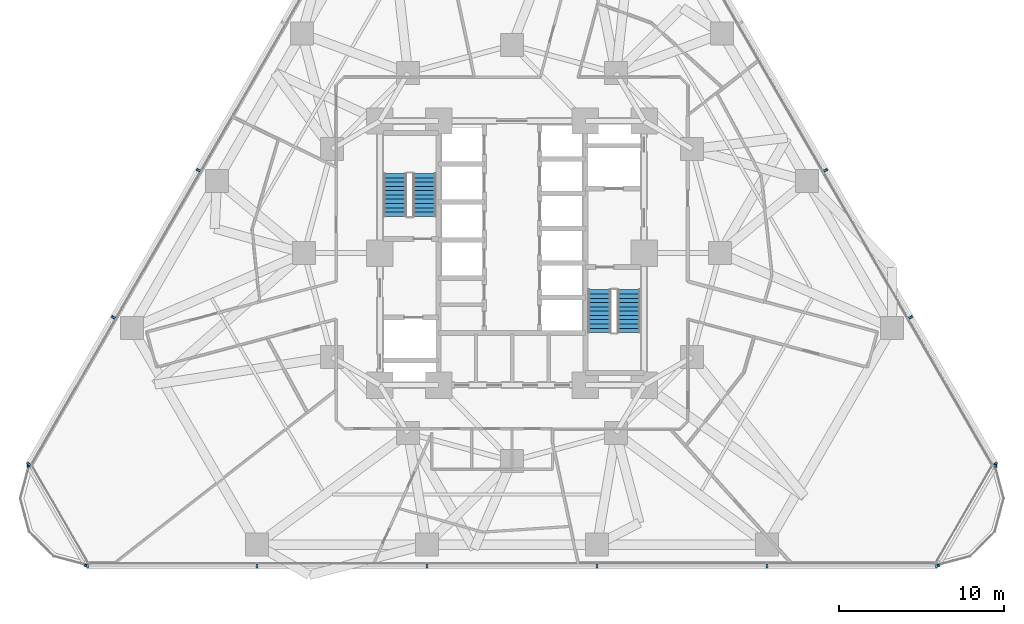
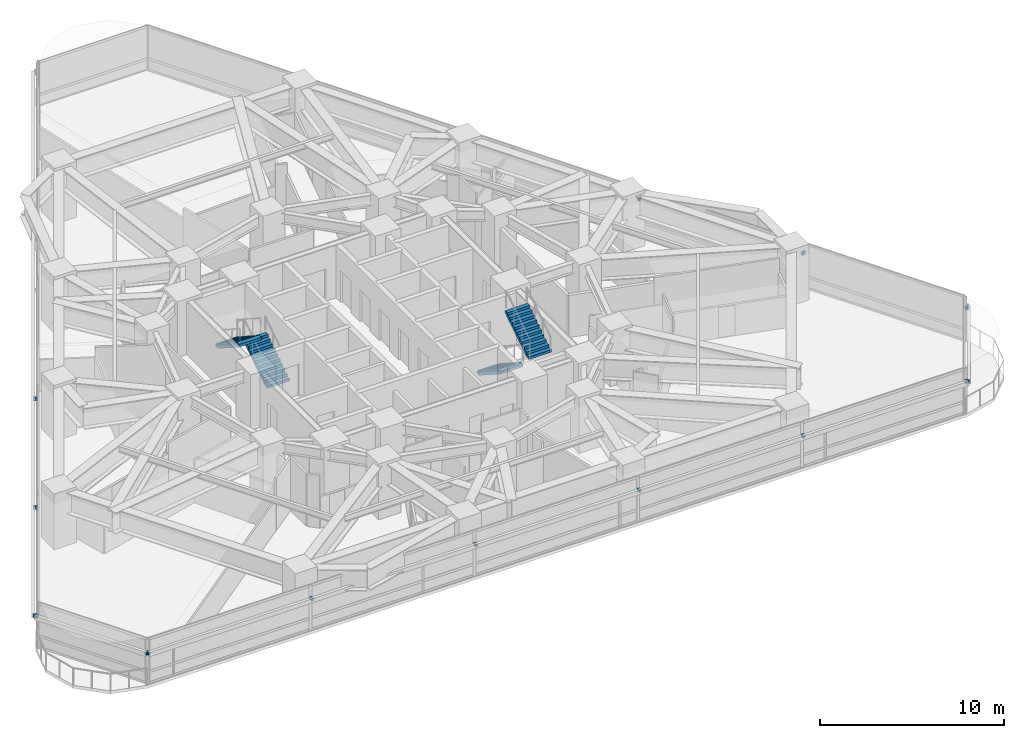
# One storey, part 11 of 15: 16 discrete accessories, 4 stair flights, 2 elements without a shape of their own.
"""IFC4 building model written with IfcOpenShell, lengths in metres."""

from ifc_helpers import new_model, si_unit, direction, frame, origin, origin_2d, place, context, subcontext, project, spatial, polyline, rectangle, outline, extrude, material, type_object, element, aggregate, save


model = new_model("IFC4")

# Units and contexts
model_context = context("Model", 3, precision=1e-05, world=origin(), true_north=direction((0.0, 1.0)))
body_context = subcontext(model_context, "Body", "Model", "MODEL_VIEW")
ifc_project = project(units=[si_unit("LENGTHUNIT", "METRE"), si_unit("AREAUNIT", "SQUARE_METRE"), si_unit("VOLUMEUNIT", "CUBIC_METRE"), si_unit("PLANEANGLEUNIT", "RADIAN"), si_unit("MASSUNIT", "GRAM", prefix="KILO")], contexts=[model_context])

# Site, building, storey
site_placement = place(None, origin())
site = spatial("IfcSite", under=ifc_project, at=site_placement, CompositionType="ELEMENT")
building_placement = place(site_placement, origin())
building = spatial("IfcBuilding", under=site, at=building_placement, Name="Terralouvre Media Tower", CompositionType="ELEMENT")
storey_placement = place(building_placement, frame((0.0, 0.0, 51.89990234375)))
storey = spatial("IfcBuildingStorey", under=building, at=storey_placement, Name="L12", CompositionType="ELEMENT", Elevation=51.89990234375)

# Stair, stair flights
ifc_material_1 = material(Name="Concrete C45/55", Category="concrete")
stair_type_1 = type_object("IfcStairType", Name="Dogleg Stair Assembly ST-01", PredefinedType="HALF_TURN_STAIR", material=ifc_material_1)
stair_1_placement = place(storey_placement, origin())
stair_1 = element("IfcStair", 1, at=stair_1_placement, inside=storey, type_object=stair_type_1, Name="L12 Core Pressurised Exit Stair ST-01", PredefinedType="HALF_TURN_STAIR")
ifc_material_2 = material(Name="Concrete C45/55", Category="concrete")
stair_flight_type = type_object("IfcStairFlightType", Name="Reinforced Concrete Stair Flight SF-RC1", PredefinedType="STRAIGHT", material=ifc_material_2)
stair_flight_1_placement = place(storey_placement, frame((-5.300048828125, 2.219970703125, 0.0), z_axis=(0.0, 0.0, 1.0), x_axis=(0.0, 1.0, 0.0)))
stair_flight_1 = element("IfcStairFlight", 2, at=stair_flight_1_placement, type_object=stair_flight_type, Name="ST-01 flight 1", NumberOfRisers=11, NumberOfTreads=10, PredefinedType="STRAIGHT", RiserHeight=0.168181818, TreadLength=0.26, context=body_context, shape_type="SweptSolid", body=[
    extrude(outline(polyline([(0.0, 0.0), (0.0, 0.168212890625), (0.260009765625, 0.168212890625), (0.260009765625, 0.33642578125), (0.52001953125, 0.33642578125), (0.52001953125, 0.504638671875), (0.780029296875, 0.504638671875), (0.780029296875, 0.672607421875), (1.0400390625, 0.672607421875), (1.0400390625, 0.8408203125), (1.300048828125, 0.8408203125), (1.300048828125, 1.009033203125), (1.56005859375, 1.009033203125), (1.56005859375, 1.17724609375), (1.820068359375, 1.17724609375), (1.820068359375, 1.345458984375), (2.080078125, 1.345458984375), (2.080078125, 1.513671875), (2.340087890625, 1.513671875), (2.340087890625, 1.681884765625), (2.60009765625, 1.681884765625), (2.60009765625, 1.85009765625), (2.60009765625, 1.503173828125), (0.27587890625, 0.0), (0.0, 0.0)])), frame((0.0, 0.699951171875, 0.0), z_axis=(0.0, -1.0, 0.0), x_axis=(1.0, 0.0, 0.0)), (0.0, 0.0, 1.0), 1.39990234375),
])
stair_flight_2_placement = place(storey_placement, frame((-7.080078125, 4.820068359375, 1.85009765625), z_axis=(0.0, 0.0, 1.0), x_axis=(0.0, -1.0, 0.0)))
stair_flight_2 = element("IfcStairFlight", 3, at=stair_flight_2_placement, type_object=stair_flight_type, Name="ST-01 flight 2", NumberOfRisers=11, NumberOfTreads=10, PredefinedType="STRAIGHT", RiserHeight=0.168181818, TreadLength=0.26, context=body_context, shape_type="SweptSolid", body=[
    extrude(outline(polyline([(0.0, 0.0), (0.0, 0.168212890625), (0.260009765625, 0.168212890625), (0.260009765625, 0.33642578125), (0.52001953125, 0.33642578125), (0.52001953125, 0.504638671875), (0.780029296875, 0.504638671875), (0.780029296875, 0.672607421875), (1.0400390625, 0.672607421875), (1.0400390625, 0.8408203125), (1.300048828125, 0.8408203125), (1.300048828125, 1.009033203125), (1.56005859375, 1.009033203125), (1.56005859375, 1.17724609375), (1.820068359375, 1.17724609375), (1.820068359375, 1.345458984375), (2.080078125, 1.345458984375), (2.080078125, 1.513671875), (2.340087890625, 1.513671875), (2.340087890625, 1.681884765625), (2.60009765625, 1.681884765625), (2.60009765625, 1.85009765625), (2.60009765625, 1.503173828125), (0.27587890625, 0.0), (0.0, 0.0)])), frame((0.0, 0.699951171875, 0.0), z_axis=(0.0, -1.0, 0.0), x_axis=(1.0, 0.0, 0.0)), (0.0, 0.0, 1.0), 1.39990234375),
])
aggregate(stair_1, [stair_flight_1, stair_flight_2])

ifc_material_3 = material(Name="Concrete C45/55", Category="concrete")
stair_type_2 = type_object("IfcStairType", Name="Dogleg Stair Assembly ST-02", PredefinedType="HALF_TURN_STAIR", material=ifc_material_3)
stair_2_placement = place(storey_placement, origin())
stair_2 = element("IfcStair", 4, at=stair_2_placement, inside=storey, type_object=stair_type_2, Name="L12 Core Pressurised Exit Stair ST-02", PredefinedType="HALF_TURN_STAIR")
stair_flight_3_placement = place(storey_placement, frame((5.300048828125, -2.219970703125, 0.0), z_axis=(0.0, 0.0, 1.0), x_axis=(0.0, -1.0, 0.0)))
stair_flight_3 = element("IfcStairFlight", 5, at=stair_flight_3_placement, type_object=stair_flight_type, Name="ST-02 flight 1", NumberOfRisers=11, NumberOfTreads=10, PredefinedType="STRAIGHT", RiserHeight=0.168181818, TreadLength=0.26, context=body_context, shape_type="SweptSolid", body=[
    extrude(outline(polyline([(0.0, 0.0), (0.0, 0.168212890625), (0.260009765625, 0.168212890625), (0.260009765625, 0.33642578125), (0.52001953125, 0.33642578125), (0.52001953125, 0.504638671875), (0.780029296875, 0.504638671875), (0.780029296875, 0.672607421875), (1.0400390625, 0.672607421875), (1.0400390625, 0.8408203125), (1.300048828125, 0.8408203125), (1.300048828125, 1.009033203125), (1.56005859375, 1.009033203125), (1.56005859375, 1.17724609375), (1.820068359375, 1.17724609375), (1.820068359375, 1.345458984375), (2.080078125, 1.345458984375), (2.080078125, 1.513671875), (2.340087890625, 1.513671875), (2.340087890625, 1.681884765625), (2.60009765625, 1.681884765625), (2.60009765625, 1.85009765625), (2.60009765625, 1.503173828125), (0.27587890625, 0.0), (0.0, 0.0)])), frame((0.0, 0.699951171875, 0.0), z_axis=(0.0, -1.0, 0.0), x_axis=(1.0, 0.0, 0.0)), (0.0, 0.0, 1.0), 1.39990234375),
])
stair_flight_4_placement = place(storey_placement, frame((7.080078125, -4.820068359375, 1.85009765625), z_axis=(0.0, 0.0, 1.0), x_axis=(0.0, 1.0, 0.0)))
stair_flight_4 = element("IfcStairFlight", 6, at=stair_flight_4_placement, type_object=stair_flight_type, Name="ST-02 flight 2", NumberOfRisers=11, NumberOfTreads=10, PredefinedType="STRAIGHT", RiserHeight=0.168181818, TreadLength=0.26, context=body_context, shape_type="SweptSolid", body=[
    extrude(outline(polyline([(0.0, 0.0), (0.0, 0.168212890625), (0.260009765625, 0.168212890625), (0.260009765625, 0.33642578125), (0.52001953125, 0.33642578125), (0.52001953125, 0.504638671875), (0.780029296875, 0.504638671875), (0.780029296875, 0.672607421875), (1.0400390625, 0.672607421875), (1.0400390625, 0.8408203125), (1.300048828125, 0.8408203125), (1.300048828125, 1.009033203125), (1.56005859375, 1.009033203125), (1.56005859375, 1.17724609375), (1.820068359375, 1.17724609375), (1.820068359375, 1.345458984375), (2.080078125, 1.345458984375), (2.080078125, 1.513671875), (2.340087890625, 1.513671875), (2.340087890625, 1.681884765625), (2.60009765625, 1.681884765625), (2.60009765625, 1.85009765625), (2.60009765625, 1.503173828125), (0.27587890625, 0.0), (0.0, 0.0)])), frame((0.0, 0.699951171875, 0.0), z_axis=(0.0, -1.0, 0.0), x_axis=(1.0, 0.0, 0.0)), (0.0, 0.0, 1.0), 1.39990234375),
])
aggregate(stair_2, [stair_flight_3, stair_flight_4])

# Discrete accessories
ifc_material_4 = material(Name="Anodised extruded aluminium 6063-T6", Category="aluminium")
discrete_accessory_type = type_object("IfcDiscreteAccessoryType", Name="Mullion Stand-Off Baguette Fixing Bracket BK-01", PredefinedType="BRACKET", material=ifc_material_4)
for number, where, z_axis, x_axis, name in (
    (7, (-25.71240234375, -18.956787109375, 2.07421875), (0.0, 0.0, 1.0), (1.0, 0.0, 0.0), "CW-L12-F0 Baguette Outrigger Bracket 1.01"),
    (8, (-15.449951171875, -18.956787109375, 2.07421875), (0.0, 0.0, 1.0), (1.0, 0.0, 0.0), "CW-L12-F0 Baguette Outrigger Bracket 1.02"),
    (9, (-5.14990234375, -18.956787109375, 2.07421875), (0.0, 0.0, 1.0), (1.0, 0.0, 0.0), "CW-L12-F0 Baguette Outrigger Bracket 1.03"),
    (10, (5.14990234375, -18.956787109375, 2.07421875), (0.0, 0.0, 1.0), (1.0, 0.0, 0.0), "CW-L12-F0 Baguette Outrigger Bracket 1.04"),
    (11, (15.449951171875, -18.956787109375, 2.07421875), (0.0, 0.0, 1.0), (1.0, 0.0, 0.0), "CW-L12-F0 Baguette Outrigger Bracket 1.05"),
    (12, (25.71240234375, -18.956787109375, 2.07421875), (0.0, 0.0, 1.0), (1.0, 0.0, 0.0), "CW-L12-F0 Baguette Outrigger Bracket 1.06"),
    (13, (29.273193359375, -12.789306640625, 2.07421875), (0.0, 0.0, 1.0), (-0.499999985671, 0.866025412057, 0.0), "CW-L12-F1 Baguette Outrigger Bracket 1.01"),
    (14, (24.14208984375, -3.901611328125, 2.07421875), (0.0, 0.0, 1.0), (-0.499999985671, 0.866025412057, 0.0), "CW-L12-F1 Baguette Outrigger Bracket 1.02"),
    (15, (18.991943359375, 5.018310546875, 2.07421875), (0.0, 0.0, 1.0), (-0.499999985671, 0.866025412057, 0.0), "CW-L12-F1 Baguette Outrigger Bracket 1.03"),
    (16, (-18.991943359375, 5.018310546875, 2.07421875), (0.0, 0.0, 1.0), (-0.499999985671, -0.866025412057, 0.0), "CW-L12-F2 Baguette Outrigger Bracket 1.04"),
    (17, (-24.14208984375, -3.901611328125, 2.07421875), (0.0, 0.0, 1.0), (-0.499999985671, -0.866025412057, 0.0), "CW-L12-F2 Baguette Outrigger Bracket 1.05"),
    (18, (-29.273193359375, -12.789306640625, 2.07421875), (0.0, 0.0, 1.0), (-0.499999985671, -0.866025412057, 0.0), "CW-L12-F2 Baguette Outrigger Bracket 1.06"),
    (19, (-29.255859375, -12.88427734375, 2.07421875), (0.0, 0.0, 1.0), (0.499999691503, -0.866025581895, 0.0), "CW-L12-C0 Baguette Outrigger Bracket 1.01"),
    (20, (-25.7861328125, -18.894287109375, 2.07421875), (0.0, 0.0, 1.0), (0.499999691503, -0.866025581895, 0.0), "CW-L12-C0 Baguette Outrigger Bracket 1.02"),
    (21, (25.7861328125, -18.894287109375, 2.07421875), (0.0, 0.0, 1.0), (0.499999691503, 0.866025581895, 0.0), "CW-L12-C1 Baguette Outrigger Bracket 1.01"),
    (22, (29.255859375, -12.88427734375, 2.07421875), (0.0, 0.0, 1.0), (0.499999691503, 0.866025581895, 0.0), "CW-L12-C1 Baguette Outrigger Bracket 1.02"),
):
    element("IfcDiscreteAccessory", number, at=place(storey_placement, frame(where, z_axis=z_axis, x_axis=x_axis)), inside=storey, type_object=discrete_accessory_type, Name=name, PredefinedType="BRACKET", context=body_context, shape_type="SweptSolid", body=[
        extrude(rectangle(XDim=0.139892578125, YDim=0.239990234375, at=origin_2d()), origin(), (0.0, 0.0, 1.0), 0.179931640625),
    ])

save(model, "model.ifc")
